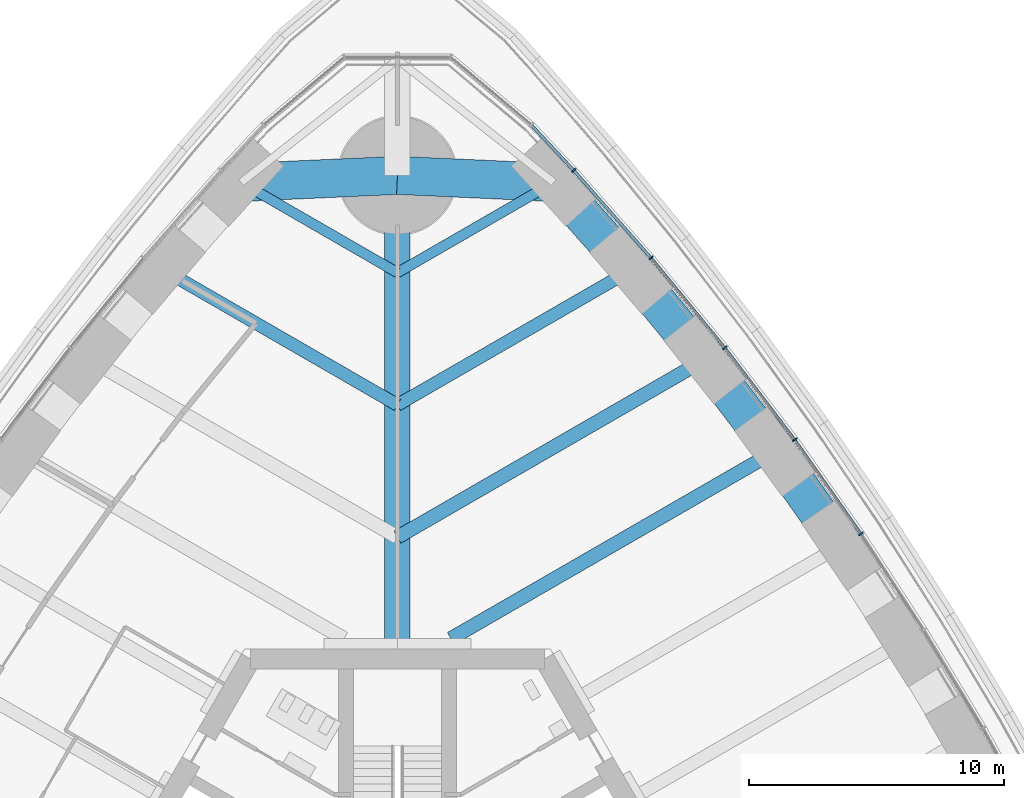
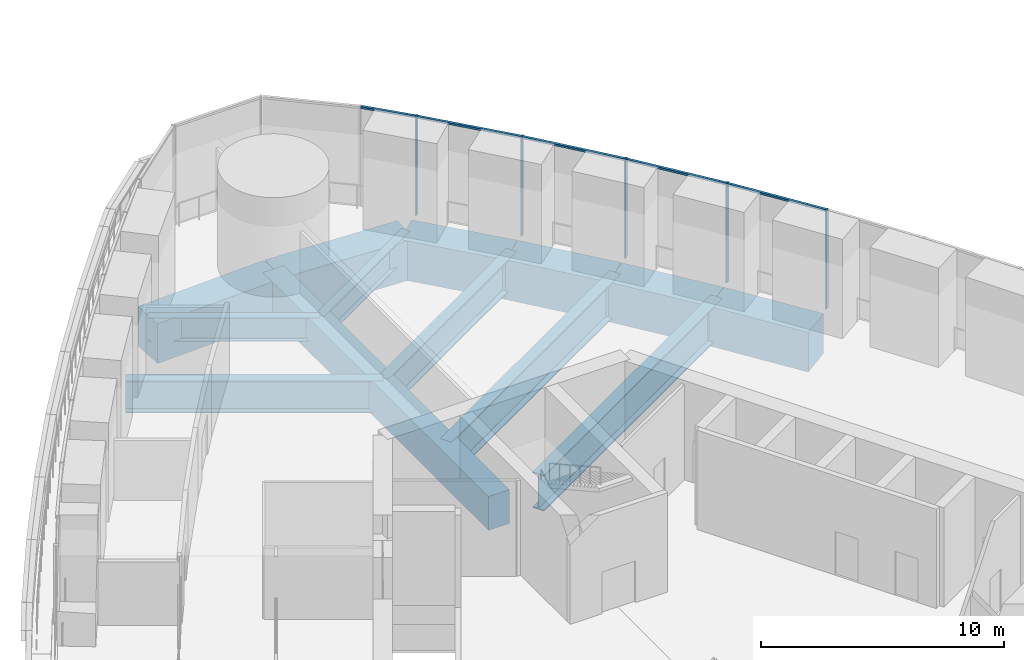
# One storey, part 9 of 33: 13 beams, 10 members, 1 element without a shape of its own.
"""IFC4 building model written with IfcOpenShell, lengths in metres."""

import ifcopenshell
import ifcopenshell.guid

model = None  # the IFC model being written
_history = None  # IfcOwnerHistory: only IFC2X3 demands one
_inside = {}  # id of a spatial element -> (the spatial element, [elements in it])
_under = {}  # id of a project, library or spatial element -> (it, [spatial elements below it])
_declared = {}  # id of a project -> (the project, [libraries it declares])
_typed = {}  # id of a type object -> (the type object, [elements of that type])
_made_of = {}  # id of a material, layer set ... -> (it, [elements and type objects made of it])


def new_model(schema):
    """Start an empty IFC model of exactly this schema.

    Asked for "IFC4X3", IfcOpenShell would pick the latest addendum, in which some entities
    have other attributes; the version numbers below select the first issue.
    IFC2X3 requires an IfcOwnerHistory on every rooted entity: one is made here for all.
    """
    global model, _history
    if schema == "IFC4X3":
        model = ifcopenshell.file(schema_version=(4, 3, 0, 0))
    else:
        model = ifcopenshell.file(schema=schema)
    _inside.clear()
    _under.clear()
    _declared.clear()
    _typed.clear()
    _made_of.clear()
    _history = None
    if model.schema == "IFC2X3":
        org = make("IfcOrganization", Name="unknown")
        user = make(
            "IfcPersonAndOrganization",
            ThePerson=make("IfcPerson", FamilyName="unknown"),
            TheOrganization=org,
        )
        app = make(
            "IfcApplication",
            ApplicationDeveloper=org,
            Version="unknown",
            ApplicationFullName="unknown",
            ApplicationIdentifier="unknown",
        )
        _history = make(
            "IfcOwnerHistory",
            OwningUser=user,
            OwningApplication=app,
            ChangeAction="ADDED",
            CreationDate=0,
        )
    return model


def make(cls, **values):
    """One entity of the class cls with the attributes given. An attribute that is None is left unset."""
    return model.create_entity(
        cls, **{name: value for name, value in values.items() if value is not None}
    )


def rooted(cls, **values):
    """An entity with a GlobalId (a new one), such as an element, a storey or a relation."""
    return make(cls, GlobalId=ifcopenshell.guid.new(), OwnerHistory=_history, **values)


def si_unit(unit_type, name, prefix=None):
    """IfcSIUnit, for example si_unit("LENGTHUNIT", "METRE", prefix="MILLI")."""
    return make("IfcSIUnit", UnitType=unit_type, Prefix=prefix, Name=name)


def assignment(units):
    """IfcUnitAssignment: the units of a project."""
    return None if units is None else make("IfcUnitAssignment", Units=units)


def point(xyz):
    """IfcCartesianPoint."""
    return None if xyz is None else make("IfcCartesianPoint", Coordinates=xyz)


def direction(xyz):
    """IfcDirection."""
    return None if xyz is None else make("IfcDirection", DirectionRatios=xyz)


def frame(location, z_axis=None, x_axis=None):
    """IfcAxis2Placement3D, a coordinate frame: its origin and axes. An axis left out is left unset."""
    return make(
        "IfcAxis2Placement3D",
        Location=point(location),
        Axis=direction(z_axis),
        RefDirection=direction(x_axis),
    )


def frame_2d(location, x_axis=None):
    """IfcAxis2Placement2D, a coordinate frame in the plane: its origin and x axis."""
    return make(
        "IfcAxis2Placement2D", Location=point(location), RefDirection=direction(x_axis)
    )


def origin():
    """The frame at (0, 0, 0) with its axes left unset."""
    return frame((0.0, 0.0, 0.0))


def origin_2d():
    """The frame at (0, 0) in the plane with its x axis left unset."""
    return frame_2d((0.0, 0.0))


def place(relative_to, where):
    """IfcLocalPlacement: puts the frame where relative to a parent placement (None: the world)."""
    return make(
        "IfcLocalPlacement", PlacementRelTo=relative_to, RelativePlacement=where
    )


def context(
    kind, dimensions, precision=None, world=None, true_north=None, identifier=None
):
    """IfcGeometricRepresentationContext, for example the 3D "Model" context."""
    return make(
        "IfcGeometricRepresentationContext",
        ContextIdentifier=identifier,
        ContextType=kind,
        CoordinateSpaceDimension=dimensions,
        Precision=precision,
        WorldCoordinateSystem=world,
        TrueNorth=true_north,
    )


def subcontext(parent, identifier, kind, view, scale=None):
    """IfcGeometricRepresentationSubContext, for example "Body" below "Model"."""
    return make(
        "IfcGeometricRepresentationSubContext",
        ContextIdentifier=identifier,
        ContextType=kind,
        ParentContext=parent,
        TargetScale=scale,
        TargetView=view,
    )


def project(units=None, contexts=None):
    """IfcProject with its units and contexts."""
    return rooted(
        "IfcProject",
        Name="project",
        RepresentationContexts=contexts,
        UnitsInContext=assignment(units),
    )


def spatial(cls, under=None, at=None, **own):
    """A site, building, storey or space (cls), placed at a placement, below another one or the project."""
    s = rooted(cls, ObjectPlacement=at, **own)
    if under is not None:
        _under.setdefault(under.id(), (under, []))[1].append(s)
    return s


def profile(cls, at=None, kind="AREA", **sizes):
    """A parametric profile (cls). Its sizes go by their IFC names, for example OverallWidth=200.0."""
    return make(cls, ProfileType=kind, Position=at, **sizes)


def rectangle(**sizes):
    """IfcRectangleProfileDef."""
    return profile("IfcRectangleProfileDef", **sizes)


def i_section(**sizes):
    """IfcIShapeProfileDef."""
    return profile("IfcIShapeProfileDef", **sizes)


def extrude(swept, where, along, depth):
    """IfcExtrudedAreaSolid: the profile swept, set in the frame where, extruded along a direction by depth."""
    return make(
        "IfcExtrudedAreaSolid",
        SweptArea=swept,
        Position=where,
        ExtrudedDirection=direction(along),
        Depth=depth,
    )


def shape(context_of_items, identifier, shape_type, items):
    """IfcShapeRepresentation: the items that make up one representation, for example the "Body"."""
    return make(
        "IfcShapeRepresentation",
        ContextOfItems=context_of_items,
        RepresentationIdentifier=identifier,
        RepresentationType=shape_type,
        Items=items,
    )


def material(Name=None, Category=None):
    """IfcMaterial."""
    return make("IfcMaterial", Name=Name, Category=Category)


def material_profile(
    of_material, cross_section, Name=None, Category=None, Priority=None
):
    """IfcMaterialProfile: a cross section and its material."""
    return make(
        "IfcMaterialProfile",
        Name=Name,
        Material=of_material,
        Profile=cross_section,
        Priority=Priority,
        Category=Category,
    )


def profile_set(profiles, Name=None, composite=None):
    """IfcMaterialProfileSet."""
    return make(
        "IfcMaterialProfileSet",
        Name=Name,
        MaterialProfiles=profiles,
        CompositeProfile=composite,
    )


def made_of(thing, what):
    """Note that an element or type object is made of a material, layer set ...; save() writes the relation."""
    if what is not None:
        _made_of.setdefault(what.id(), (what, []))[1].append(thing)
    return thing


def type_object(cls, material=None, **own):
    """A type object (cls), such as IfcWallType, which elements share."""
    return made_of(rooted(cls, **own), material)


def element(
    cls,
    number,
    at=None,
    inside=None,
    cuts=None,
    type_object=None,
    material=None,
    context=None,
    identifier="Body",
    shape_type=None,
    held_by="IfcProductDefinitionShape",
    body=None,
    shapes=None,
    **own,
):
    """One element of the class cls, such as IfcWall. Its Tag is "e" and its number.

    at: its placement. inside: the storey or other place that contains it. cuts: it is an
    opening in that element (IfcRelVoidsElement). A single representation is given by context,
    identifier, shape_type and body (its items); several are given by shapes. held_by: the class
    of the entity that holds the representations. save() writes the other relations.
    """
    e = rooted(cls, Tag="e%d" % number, ObjectPlacement=at, **own)
    if body is not None:
        shapes = [shape(context, identifier, shape_type, body)]
    if shapes is not None:
        e.Representation = make(held_by, Representations=shapes)
    if inside is not None:
        _inside.setdefault(inside.id(), (inside, []))[1].append(e)
    if cuts is not None:
        rooted(
            "IfcRelVoidsElement", RelatingBuildingElement=cuts, RelatedOpeningElement=e
        )
    if type_object is not None:
        _typed.setdefault(type_object.id(), (type_object, []))[1].append(e)
    return made_of(e, material)


def aggregate(whole, parts):
    """IfcRelAggregates: a whole, such as a stair, and the parts it consists of."""
    return rooted("IfcRelAggregates", RelatingObject=whole, RelatedObjects=parts)


def save(model, path):
    """Write the relations noted so far, then the file.

    IfcRelAggregates (storeys below a building ...), IfcRelContainedInSpatialStructure (elements
    in a storey), IfcRelDefinesByType, IfcRelAssociatesMaterial and IfcRelDeclares: one each for
    every whole, place, type object, material and project.
    """
    for whole, parts in _under.values():
        aggregate(whole, parts)
    for where, things in _inside.values():
        rooted(
            "IfcRelContainedInSpatialStructure",
            RelatedElements=things,
            RelatingStructure=where,
        )
    for kind, things in _typed.values():
        rooted("IfcRelDefinesByType", RelatedObjects=things, RelatingType=kind)
    for what, things in _made_of.values():
        rooted("IfcRelAssociatesMaterial", RelatedObjects=things, RelatingMaterial=what)
    for by, libraries in _declared.values():
        rooted("IfcRelDeclares", RelatingContext=by, RelatedDefinitions=libraries)
    model.write(path)


model = new_model("IFC4")

# Units and contexts
model_context = context("Model", 3, precision=1e-05, world=origin(), true_north=direction((0.0, 1.0)))
body_context = subcontext(model_context, "Body", "Model", "MODEL_VIEW")
ifc_project = project(units=[si_unit("LENGTHUNIT", "METRE"), si_unit("AREAUNIT", "SQUARE_METRE"), si_unit("VOLUMEUNIT", "CUBIC_METRE"), si_unit("PLANEANGLEUNIT", "RADIAN"), si_unit("MASSUNIT", "GRAM", prefix="KILO")], contexts=[model_context])

# Site, building, storey
site_placement = place(None, origin())
site = spatial("IfcSite", under=ifc_project, at=site_placement, CompositionType="ELEMENT")
building_placement = place(site_placement, origin())
building = spatial("IfcBuilding", under=site, at=building_placement, Name="Trefoil Bronze Tower", CompositionType="ELEMENT")
storey_placement = place(building_placement, frame((0.0, 0.0, 98.10009765625)))
storey = spatial("IfcBuildingStorey", under=building, at=storey_placement, Name="L22", CompositionType="ELEMENT", Elevation=98.10009765625)

# Curtain wall, members
ifc_material_1 = material(Name="Tinted solar-control glass", Category="glass")
curtain_wall_type = type_object("IfcCurtainWallType", Name="Bronze sky lobby curtain wall", PredefinedType="USERDEFINED", material=ifc_material_1)
curtain_wall_placement = place(storey_placement, origin())
curtain_wall = element("IfcCurtainWall", 1, at=curtain_wall_placement, inside=storey, type_object=curtain_wall_type, Name="CW-D L22 F2", ObjectType="CURTAIN WALL", PredefinedType="USERDEFINED")
ifc_material_2 = material(Name="Bronze-finish aluminium", Category="aluminium")
ifc_material_profile_1 = material_profile(ifc_material_2, rectangle(XDim=0.199951171875, YDim=0.06005859375, at=origin_2d()), Name="CW-D mullion")
ifc_profile_set_1 = profile_set([ifc_material_profile_1], Name="Bronze-finish aluminium")
member_type_1 = type_object("IfcMemberType", Name="Bronze sky lobby curtain wall mullion", PredefinedType="MULLION", material=ifc_profile_set_1)
member_1_placement = place(storey_placement, frame((18.20751953125, 20.912841796875, 0.0), z_axis=(0.0, 0.0, 1.0), x_axis=(-0.827723925749, -0.561135547566, 0.0)))
member_1 = element("IfcMember", 2, at=member_1_placement, type_object=member_type_1, Name="CW-D L22 F2 mullion 10", PredefinedType="MULLION", context=body_context, shape_type="SweptSolid", body=[
    extrude(rectangle(XDim=0.199951171875, YDim=0.06005859375, at=origin_2d()), origin(), (0.0, 0.0, 1.0), 4.97998046875),
])
member_2_placement = place(storey_placement, frame((15.60302734375, 24.609375, 0.0), z_axis=(0.0, 0.0, 1.0), x_axis=(-0.806874522901, -0.590722865897, 0.0)))
member_2 = element("IfcMember", 3, at=member_2_placement, type_object=member_type_1, Name="CW-D L22 F2 mullion 11", PredefinedType="MULLION", context=body_context, shape_type="SweptSolid", body=[
    extrude(rectangle(XDim=0.199951171875, YDim=0.06005859375, at=origin_2d()), origin(), (0.0, 0.0, 1.0), 4.97998046875),
])
member_3_placement = place(storey_placement, frame((12.855224609375, 28.22314453125, 0.0), z_axis=(0.0, 0.0, 1.0), x_axis=(-0.78487913905, -0.619648882098, 0.0)))
member_3 = element("IfcMember", 4, at=member_3_placement, type_object=member_type_1, Name="CW-D L22 F2 mullion 12", PredefinedType="MULLION", context=body_context, shape_type="SweptSolid", body=[
    extrude(rectangle(XDim=0.199951171875, YDim=0.06005859375, at=origin_2d()), origin(), (0.0, 0.0, 1.0), 4.97998046875),
])
member_4_placement = place(storey_placement, frame((9.96240234375, 31.75341796875, 0.0), z_axis=(0.0, 0.0, 1.0), x_axis=(-0.761721651066, -0.647904411389, 0.0)))
member_4 = element("IfcMember", 5, at=member_4_placement, type_object=member_type_1, Name="CW-D L22 F2 mullion 13", PredefinedType="MULLION", context=body_context, shape_type="SweptSolid", body=[
    extrude(rectangle(XDim=0.199951171875, YDim=0.06005859375, at=origin_2d()), origin(), (0.0, 0.0, 1.0), 4.97998046875),
])
member_5_placement = place(storey_placement, frame((6.922119140625, 35.19775390625, 0.0), z_axis=(0.0, 0.0, 1.0), x_axis=(-0.740360700327, -0.672209813534, 0.0)))
member_5 = element("IfcMember", 6, at=member_5_placement, type_object=member_type_1, Name="CW-D L22 F2 mullion 14", PredefinedType="MULLION", context=body_context, shape_type="SweptSolid", body=[
    extrude(rectangle(XDim=0.199951171875, YDim=0.06005859375, at=origin_2d()), origin(), (0.0, 0.0, 1.0), 4.97998046875),
])
ifc_material_3 = material(Name="Bronze-finish aluminium", Category="aluminium")
ifc_material_profile_2 = material_profile(ifc_material_3, rectangle(XDim=0.1201171875, YDim=0.10009765625, at=origin_2d()), Name="CW-D transom")
ifc_profile_set_2 = profile_set([ifc_material_profile_2], Name="Bronze-finish aluminium")
member_type_2 = type_object("IfcMemberType", Name="Bronze sky lobby curtain wall transom", PredefinedType="USERDEFINED", material=ifc_profile_set_2)
member_6_placement = place(storey_placement, frame((18.189208984375, 20.938720703125, 4.929931640625), z_axis=(-0.575973493375, 0.817468369376, 0.0), x_axis=(-0.817468369376, -0.575973493375, 0.0)))
member_6 = element("IfcMember", 7, at=member_6_placement, type_object=member_type_2, Name="CW-D L22 F2 transom 10", ObjectType="TRANSOM", PredefinedType="USERDEFINED", context=body_context, shape_type="SweptSolid", body=[
    extrude(rectangle(XDim=0.1201171875, YDim=0.10009765625, at=origin_2d()), origin(), (0.0, 0.0, 1.0), 4.458251953125),
])
member_7_placement = place(storey_placement, frame((15.583740234375, 24.634765625, 4.929931640625), z_axis=(-0.605249202755, 0.79603605607, 0.0), x_axis=(-0.79603605607, -0.605249202755, 0.0)))
member_7 = element("IfcMember", 8, at=member_7_placement, type_object=member_type_2, Name="CW-D L22 F2 transom 11", ObjectType="TRANSOM", PredefinedType="USERDEFINED", context=body_context, shape_type="SweptSolid", body=[
    extrude(rectangle(XDim=0.1201171875, YDim=0.10009765625, at=origin_2d()), origin(), (0.0, 0.0, 1.0), 4.476318359375),
])
member_8_placement = place(storey_placement, frame((12.8349609375, 28.247802734375, 4.929931640625), z_axis=(-0.633834330699, 0.773468836623, 0.0), x_axis=(-0.773468836623, -0.633834330699, 0.0)))
member_8 = element("IfcMember", 9, at=member_8_placement, type_object=member_type_2, Name="CW-D L22 F2 transom 12", ObjectType="TRANSOM", PredefinedType="USERDEFINED", context=body_context, shape_type="SweptSolid", body=[
    extrude(rectangle(XDim=0.1201171875, YDim=0.10009765625, at=origin_2d()), origin(), (0.0, 0.0, 1.0), 4.50048828125),
])
member_9_placement = place(storey_placement, frame((9.941162109375, 31.777099609375, 4.929931640625), z_axis=(-0.661714299212, 0.749756084483, 0.0), x_axis=(-0.749756084483, -0.661714299212, 0.0)))
member_9 = element("IfcMember", 10, at=member_9_placement, type_object=member_type_2, Name="CW-D L22 F2 transom 13", ObjectType="TRANSOM", PredefinedType="USERDEFINED", context=body_context, shape_type="SweptSolid", body=[
    extrude(rectangle(XDim=0.1201171875, YDim=0.10009765625, at=origin_2d()), origin(), (0.0, 0.0, 1.0), 4.531005859375),
])
member_10_placement = place(storey_placement, frame((6.900634765625, 35.220703125, 4.929931640625), z_axis=(-0.68253936347, 0.730848833422, 0.0), x_axis=(-0.730848833422, -0.68253936347, 0.0)))
member_10 = element("IfcMember", 11, at=member_10_placement, type_object=member_type_2, Name="CW-D L22 F2 transom 14", ObjectType="TRANSOM", PredefinedType="USERDEFINED", context=body_context, shape_type="SweptSolid", body=[
    extrude(rectangle(XDim=0.1201171875, YDim=0.10009765625, at=origin_2d()), origin(), (0.0, 0.0, 1.0), 2.360107421875),
])
aggregate(curtain_wall, [member_1, member_2, member_3, member_4, member_5, member_6, member_7, member_8, member_9, member_10])

# Beams
ifc_material_4 = material(Name="Concrete B80", Category="concrete")
ifc_material_profile_3 = material_profile(ifc_material_4, rectangle(XDim=1.0, YDim=1.699951171875, at=origin_2d()), Name="RC 1000x1700")
ifc_profile_set_3 = profile_set([ifc_material_profile_3], Name="Concrete B80")
beam_type_1 = type_object("IfcBeamType", Name="Corner girder RC 1000x1700", PredefinedType="BEAM", material=ifc_profile_set_3)
beam_1_placement = place(storey_placement, frame((0.0, 16.39990234375, -1.050048828125), z_axis=(0.0, 1.0, 0.0), x_axis=(-1.0, 0.0, 0.0)))
element("IfcBeam", 12, at=beam_1_placement, inside=storey, type_object=beam_type_1, Name="Corner girder K2 L22", PredefinedType="BEAM", context=body_context, shape_type="SweptSolid", body=[
    extrude(rectangle(XDim=1.0, YDim=1.699951171875, at=origin_2d()), origin(), (0.0, 0.0, 1.0), 18.60009765625),
])
ifc_material_5 = material(Name="Concrete B80", Category="concrete")
ifc_material_profile_4 = material_profile(ifc_material_5, rectangle(XDim=1.5, YDim=2.0, at=origin_2d()), Name="RC 1500x2000")
ifc_profile_set_4 = profile_set([ifc_material_profile_4], Name="Concrete B80")
beam_type_2 = type_object("IfcBeamType", Name="End spandrel beam RC 1500x2000", PredefinedType="SPANDREL", material=ifc_profile_set_4)
for number, where, z_axis, x_axis, name in (
    (13, (6.13916015625, 34.72119140625, -1.2001953125), (-0.998970341464, 0.045368015985, 0.0), (-0.045368015985, -0.998970341464, 0.0), "Spandrel F2.14 L22"),
    (14, (0.0, 35.0, -1.2001953125), (-0.998970341464, -0.045368015985, 0.0), (0.045368015985, -0.998970341464, 0.0), "Spandrel F3.1 L22"),
):
    element("IfcBeam", number, at=place(storey_placement, frame(where, z_axis=z_axis, x_axis=x_axis)), inside=storey, type_object=beam_type_2, Name=name, PredefinedType="SPANDREL", context=body_context, shape_type="SweptSolid", body=[
        extrude(rectangle(XDim=1.5, YDim=2.0, at=origin_2d()), origin(), (0.0, 0.0, 1.0), 6.1455078125),
    ])
ifc_material_6 = material(Name="Steel C355", Category="steel")
ifc_material_profile_5 = material_profile(ifc_material_6, i_section(OverallWidth=0.39990234375, OverallDepth=1.199951171875, WebThickness=0.02001953125, FlangeThickness=0.0400390625, FilletRadius=0.010009765625, at=origin_2d()), Name="WPG 1200")
ifc_profile_set_5 = profile_set([ifc_material_profile_5], Name="Steel C355")
beam_type_3 = type_object("IfcBeamType", Name="Floor beam WPG 1200", PredefinedType="BEAM", material=ifc_profile_set_5)
for number, where, z_axis, x_axis, name in (
    (15, (6.13916015625, 34.72119140625, -0.800048828125), (-0.866041060244, -0.499972881236, 0.0), (0.499972881236, -0.866041060244, 0.0), "Floor beam F2/+6 L22"),
    (16, (-6.13916015625, 34.72119140625, -0.800048828125), (0.866041060244, -0.499972881236, 0.0), (0.499972881236, 0.866041060244, 0.0), "Floor beam F3/-6 L22"),
):
    element("IfcBeam", number, at=place(storey_placement, frame(where, z_axis=z_axis, x_axis=x_axis)), inside=storey, type_object=beam_type_3, Name=name, PredefinedType="BEAM", context=body_context, shape_type="SweptSolid", body=[
        extrude(i_section(OverallWidth=0.39990234375, OverallDepth=1.199951171875, WebThickness=0.02001953125, FlangeThickness=0.0400390625, FilletRadius=0.010009765625, at=origin_2d()), origin(), (0.0, 0.0, 1.0), 7.0888671875),
    ])
ifc_material_7 = material(Name="Steel C355", Category="steel")
ifc_material_profile_6 = material_profile(ifc_material_7, i_section(OverallWidth=0.5, OverallDepth=1.60009765625, WebThickness=0.02587890625, FlangeThickness=0.050048828125, FilletRadius=0.011962890625, at=origin_2d()), Name="WPG 1600")
ifc_profile_set_6 = profile_set([ifc_material_profile_6], Name="Steel C355")
beam_type_4 = type_object("IfcBeamType", Name="Floor beam WPG 1600", PredefinedType="BEAM", material=ifc_profile_set_6)
for number, where, z_axis, x_axis, name in (
    (17, (9.181884765625, 31.281982421875, -1.0), (-0.866021079084, -0.500007490527, 0.0), (0.500007490527, -0.866021079084, 0.0), "Floor beam F2/+5 L22"),
    (18, (-9.181884765625, 31.281982421875, -1.0), (0.866021079084, -0.500007490527, 0.0), (0.500007490527, 0.866021079084, 0.0), "Floor beam F3/-5 L22"),
):
    element("IfcBeam", number, at=place(storey_placement, frame(where, z_axis=z_axis, x_axis=x_axis)), inside=storey, type_object=beam_type_4, Name=name, PredefinedType="BEAM", context=body_context, shape_type="SweptSolid", body=[
        extrude(i_section(OverallWidth=0.5, OverallDepth=1.60009765625, WebThickness=0.02587890625, FlangeThickness=0.050048828125, FilletRadius=0.011962890625, at=origin_2d()), origin(), (0.0, 0.0, 1.0), 10.602294921875),
    ])
ifc_material_8 = material(Name="Steel C355", Category="steel")
ifc_material_profile_7 = material_profile(ifc_material_8, i_section(OverallWidth=0.550048828125, OverallDepth=1.800048828125, WebThickness=0.029052734375, FlangeThickness=0.054931640625, FilletRadius=0.013916015625, at=origin_2d()), Name="WPG 1800")
ifc_profile_set_7 = profile_set([ifc_material_profile_7], Name="Steel C355")
beam_type_5 = type_object("IfcBeamType", Name="Floor beam WPG 1800", PredefinedType="BEAM", material=ifc_profile_set_7)
beam_2_placement = place(storey_placement, frame((14.825439453125, 24.14794921875, -1.10009765625), z_axis=(-0.866027342682, -0.499996641717, 0.0), x_axis=(0.499996641717, -0.866027342682, 0.0)))
element("IfcBeam", 19, at=beam_2_placement, inside=storey, type_object=beam_type_5, Name="Floor beam F2/+3 L22", PredefinedType="BEAM", context=body_context, shape_type="SweptSolid", body=[
    extrude(i_section(OverallWidth=0.550048828125, OverallDepth=1.800048828125, WebThickness=0.029052734375, FlangeThickness=0.054931640625, FilletRadius=0.013916015625, at=origin_2d()), origin(), (0.0, 0.0, 1.0), 14.69580078125),
])
beam_3_placement = place(storey_placement, frame((12.07666015625, 27.757080078125, -1.10009765625), z_axis=(-0.866026983775, -0.499997263366, 0.0), x_axis=(0.499997263366, -0.866026983775, 0.0)))
element("IfcBeam", 20, at=beam_3_placement, inside=storey, type_object=beam_type_5, Name="Floor beam F2/+4 L22", PredefinedType="BEAM", context=body_context, shape_type="SweptSolid", body=[
    extrude(i_section(OverallWidth=0.550048828125, OverallDepth=1.800048828125, WebThickness=0.029052734375, FlangeThickness=0.054931640625, FilletRadius=0.013916015625, at=origin_2d()), origin(), (0.0, 0.0, 1.0), 13.94482421875),
])
ifc_material_9 = material(Name="Concrete B80", Category="concrete")
ifc_material_profile_8 = material_profile(ifc_material_9, rectangle(XDim=1.5, YDim=2.0, at=origin_2d()), Name="RC 1500x2000")
ifc_profile_set_8 = profile_set([ifc_material_profile_8], Name="Concrete B80")
beam_type_6 = type_object("IfcBeamType", Name="Spandrel beam RC 1500x2000", PredefinedType="SPANDREL", material=ifc_profile_set_8)
beam_4_placement = place(storey_placement, frame((17.43017578125, 20.45556640625, -1.2001953125), z_axis=(-0.576439228712, 0.81714002203, 0.0), x_axis=(-0.81714002203, -0.576439228712, 0.0)))
element("IfcBeam", 21, at=beam_4_placement, inside=storey, type_object=beam_type_6, Name="Spandrel F2.10 L22", PredefinedType="SPANDREL", context=body_context, shape_type="SweptSolid", body=[
    extrude(rectangle(XDim=1.5, YDim=2.0, at=origin_2d()), origin(), (0.0, 0.0, 1.0), 4.5185546875),
])
beam_5_placement = place(storey_placement, frame((14.825439453125, 24.14794921875, -1.2001953125), z_axis=(-0.605898901788, 0.795541652468, 0.0), x_axis=(-0.795541652468, -0.605898901788, 0.0)))
element("IfcBeam", 22, at=beam_5_placement, inside=storey, type_object=beam_type_6, Name="Spandrel F2.11 L22", PredefinedType="SPANDREL", context=body_context, shape_type="SweptSolid", body=[
    extrude(rectangle(XDim=1.5, YDim=2.0, at=origin_2d()), origin(), (0.0, 0.0, 1.0), 4.53662109375),
])
beam_6_placement = place(storey_placement, frame((12.07666015625, 27.757080078125, -1.2001953125), z_axis=(-0.634650386838, 0.772799383079, 0.0), x_axis=(-0.772799383079, -0.634650386838, 0.0)))
element("IfcBeam", 23, at=beam_6_placement, inside=storey, type_object=beam_type_6, Name="Spandrel F2.12 L22", PredefinedType="SPANDREL", context=body_context, shape_type="SweptSolid", body=[
    extrude(rectangle(XDim=1.5, YDim=2.0, at=origin_2d()), origin(), (0.0, 0.0, 1.0), 4.561279296875),
])
beam_7_placement = place(storey_placement, frame((9.181884765625, 31.281982421875, -1.2001953125), z_axis=(-0.662616326239, 0.748959013699, 0.0), x_axis=(-0.748959013699, -0.662616326239, 0.0)))
element("IfcBeam", 24, at=beam_7_placement, inside=storey, type_object=beam_type_6, Name="Spandrel F2.13 L22", PredefinedType="SPANDREL", context=body_context, shape_type="SweptSolid", body=[
    extrude(rectangle(XDim=1.5, YDim=2.0, at=origin_2d()), origin(), (0.0, 0.0, 1.0), 4.592041015625),
])

save(model, "model.ifc")
